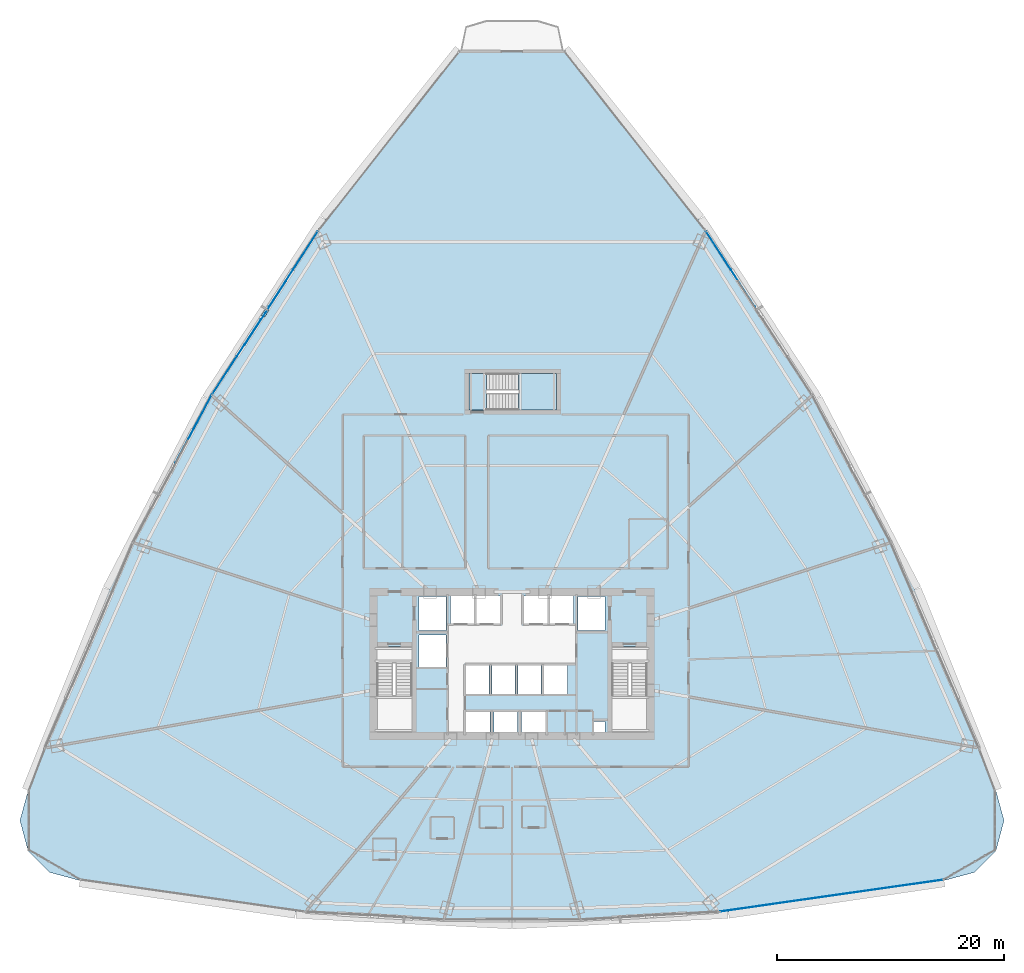
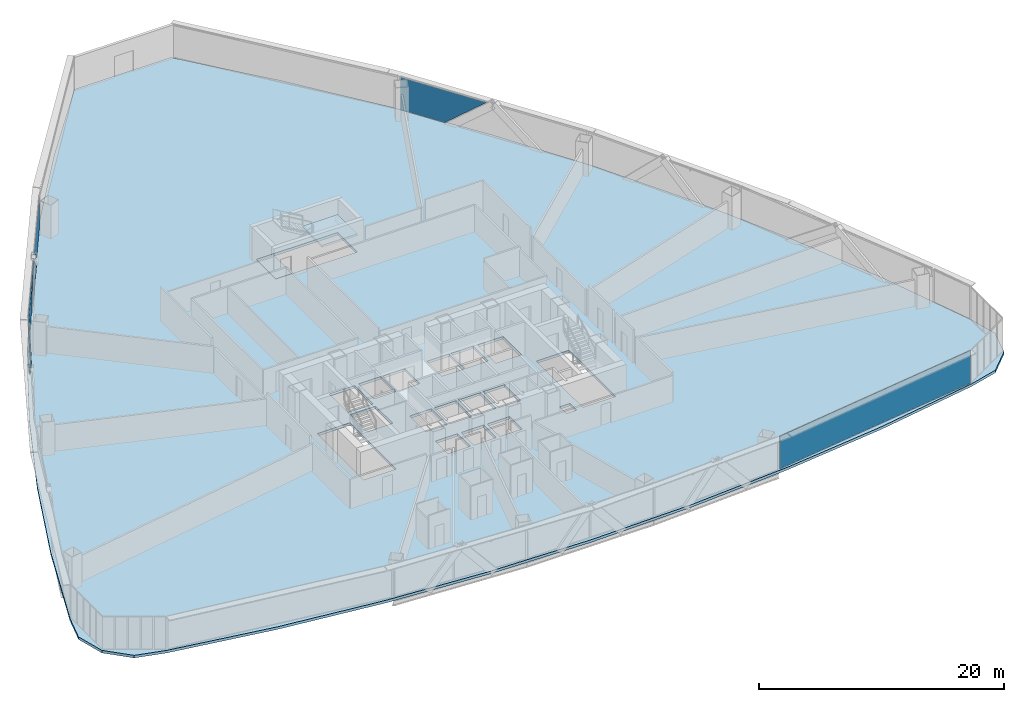
# One storey, part 29 of 40: 7 plates, 3 slabs, 5 elements without a shape of their own.
"""IFC4 building model written with IfcOpenShell, lengths in metres."""

from ifc_helpers import new_model, si_unit, direction, frame, origin, origin_2d, place, context, subcontext, project, spatial, polyline, rectangle, outline, extrude, source, transform, mapped, material, layer, layer_set, type_object, element, aggregate, save


model = new_model("IFC4")

# Units and contexts
model_context = context("Model", 3, precision=1e-05, world=origin(), true_north=direction((0.0, 1.0)))
body_context = subcontext(model_context, "Body", "Model", "MODEL_VIEW")
ifc_project = project(units=[si_unit("LENGTHUNIT", "METRE"), si_unit("AREAUNIT", "SQUARE_METRE"), si_unit("VOLUMEUNIT", "CUBIC_METRE"), si_unit("PLANEANGLEUNIT", "RADIAN"), si_unit("MASSUNIT", "GRAM", prefix="KILO"), si_unit("THERMODYNAMICTEMPERATUREUNIT", "KELVIN"), si_unit("POWERUNIT", "WATT")], contexts=[model_context])

# Site, building, storey
site_placement = place(None, origin())
site = spatial("IfcSite", under=ifc_project, at=site_placement, CompositionType="ELEMENT")
building_placement = place(site_placement, origin())
building = spatial("IfcBuilding", under=site, at=building_placement, Name="Yunzhuo Pagoda Commons", CompositionType="ELEMENT")
storey_placement = place(building_placement, frame((0.0, 0.0, 66.699951171875)))
storey = spatial("IfcBuildingStorey", under=building, at=storey_placement, Name="L17", CompositionType="ELEMENT", Elevation=66.699951171875)

# Curtain wall, plate
ifc_material_1 = material(Name="Anodized aluminium 6063-T6", Category="aluminium")
ifc_layer_1 = layer(ifc_material_1, 0.1650390625)
ifc_layer_set_1 = layer_set([ifc_layer_1], Name="Anodized aluminium 6063-T6")
curtain_wall_type = type_object("IfcCurtainWallType", Name="CW-LOW Low-Zone Ribbon Curtain Wall", PredefinedType="NOTDEFINED", material=ifc_layer_set_1)
curtain_wall_1_placement = place(storey_placement, origin())
curtain_wall_1 = element("IfcCurtainWall", 1, at=curtain_wall_1_placement, inside=storey, type_object=curtain_wall_type, Name="L17 curtain wall CW-L17-F2B4", PredefinedType="NOTDEFINED")
ifc_material_2 = material(Name="Tempered low-e double glazing", Category="glass")
ifc_layer_2 = layer(ifc_material_2, 0.028076171875)
ifc_layer_set_2 = layer_set([ifc_layer_2], Name="Tempered low-e double glazing")
plate_type_1 = type_object("IfcPlateType", Name="CW-LOW-P Low-E Double Glazing 28", PredefinedType="CURTAIN_PANEL", material=ifc_layer_set_2)
plate_1_placement = place(storey_placement, frame((67.211669921875, 68.592529296875, 1.68505859375), z_axis=(0.838840312647, 0.54437756188, 0.0), x_axis=(-0.54437756188, 0.838840312647, 0.0)))
plate_1 = element("IfcPlate", 2, at=plate_1_placement, type_object=plate_type_1, Name="CW panel 1.1 lite 3", PredefinedType="CURTAIN_PANEL", context=body_context, shape_type="SweptSolid", body=[
    extrude(outline(polyline([(-3.94970703125, 1.625), (-0.088134765625, -1.625), (3.94970703125, -1.625), (3.94970703125, 1.625), (-3.94970703125, 1.625)])), origin(), (0.0, 0.0, 1.0), 0.028076171875),
])
aggregate(curtain_wall_1, [plate_1])

# Curtain wall, plates
curtain_wall_2_placement = place(storey_placement, origin())
curtain_wall_2 = element("IfcCurtainWall", 3, at=curtain_wall_2_placement, inside=storey, type_object=curtain_wall_type, Name="L17 curtain wall CW-L17-F3B2", PredefinedType="NOTDEFINED")
plate_2_placement = place(storey_placement, frame((28.788330078125, 68.592529296875, 1.68505859375), z_axis=(-0.838840312647, 0.54437756188, 0.0), x_axis=(-0.54437756188, -0.838840312647, 0.0)))
plate_2 = element("IfcPlate", 4, at=plate_2_placement, type_object=plate_type_1, Name="CW panel 1.1 lite 1", PredefinedType="CURTAIN_PANEL", context=body_context, shape_type="SweptSolid", body=[
    extrude(outline(polyline([(-3.949462890625, -1.625), (0.088134765625, -1.625), (3.949462890625, 1.625), (-3.949462890625, 1.625), (-3.949462890625, -1.625)])), origin(), (0.0, 0.0, 1.0), 0.028076171875),
])
plate_3_placement = place(storey_placement, frame((26.303466796875, 64.708251953125, 1.466796875), z_axis=(-0.838840312647, 0.54437756188, 0.0), x_axis=(-0.54437756188, -0.838840312647, 0.0)))
plate_3 = element("IfcPlate", 5, at=plate_3_placement, type_object=plate_type_1, Name="CW panel 1.1 lite 2", PredefinedType="CURTAIN_PANEL", context=body_context, shape_type="SweptSolid", body=[
    extrude(outline(polyline([(-3.342529296875, -1.406494140625), (3.342529296875, -1.406494140625), (0.0, 1.406494140625), (-3.342529296875, -1.406494140625)])), origin(), (0.0, 0.0, 1.0), 0.028076171875),
])
plate_4_placement = place(storey_placement, frame((23.768310546875, 60.85693359375, 1.68505859375), z_axis=(-0.838840312647, 0.54437756188, 0.0), x_axis=(-0.54437756188, -0.838840312647, 0.0)))
plate_4 = element("IfcPlate", 6, at=plate_4_placement, type_object=plate_type_1, Name="CW panel 1.1 lite 3", PredefinedType="CURTAIN_PANEL", context=body_context, shape_type="SweptSolid", body=[
    extrude(outline(polyline([(-3.949462890625, 1.625), (-0.088134765625, -1.625), (3.949462890625, -1.625), (3.949462890625, 1.625), (-3.949462890625, 1.625)])), origin(), (0.0, 0.0, 1.0), 0.028076171875),
])
aggregate(curtain_wall_2, [plate_2, plate_3, plate_4])

# Curtain wall, plate
curtain_wall_3_placement = place(storey_placement, origin())
curtain_wall_3 = element("IfcCurtainWall", 7, at=curtain_wall_3_placement, inside=storey, type_object=curtain_wall_type, Name="L17 curtain wall CW-L17-F3B3", PredefinedType="NOTDEFINED")
plate_5_placement = place(storey_placement, frame((19.983154296875, 54.4853515625, 1.68505859375), z_axis=(-0.882636758547, 0.470055690808, 0.0), x_axis=(-0.470055690808, -0.882636758547, 0.0)))
plate_5 = element("IfcPlate", 8, at=plate_5_placement, type_object=plate_type_1, Name="CW panel 1.1 lite 1", PredefinedType="CURTAIN_PANEL", context=body_context, shape_type="SweptSolid", body=[
    extrude(outline(polyline([(-3.33935546875, -1.625), (0.051513671875, -1.625), (3.33935546875, 1.625), (-3.33935546875, 1.625), (-3.33935546875, -1.625)])), origin(), (0.0, 0.0, 1.0), 0.028076171875),
])
aggregate(curtain_wall_3, [plate_5])

# Stair, slabs
ifc_material_3 = material(Name="Concrete C40", Category="concrete")
stair_type = type_object("IfcStairType", Name="ST-C3 North Tower Smokeproof Stair ST3", PredefinedType="HALF_TURN_STAIR", material=ifc_material_3)
stair_placement = place(storey_placement, origin())
stair = element("IfcStair", 9, at=stair_placement, inside=storey, type_object=stair_type, Name="L17 North tower smokeproof stair ST3", PredefinedType="HALF_TURN_STAIR")
ifc_layer_3 = layer(ifc_material_3, 0.2041015625)
ifc_layer_set_3 = layer_set([ifc_layer_3], Name="Concrete C40")
slab_type_1 = type_object("IfcSlabType", Name="SL-LND5 North Landing Slab 204", PredefinedType="LANDING", material=ifc_layer_set_3)
slab_1_placement = place(storey_placement, frame((0.0, 0.0, 1.614990234375)))
slab_1 = element("IfcSlab", 10, at=slab_1_placement, type_object=slab_type_1, Name="ST3 landing 1", PredefinedType="LANDING", context=body_context, shape_type="SweptSolid", body=[
    extrude(outline(polyline([(48.550048828125, 56.199951171875), (51.89990234375, 56.199951171875), (51.89990234375, 59.39990234375), (48.550048828125, 59.39990234375), (48.550048828125, 56.199951171875)])), origin(), (0.0, 0.0, 1.0), 0.199951171875),
])
slab_2_placement = place(storey_placement, frame((0.0, 0.0, -0.199951171875)))
slab_2 = element("IfcSlab", 11, at=slab_2_placement, type_object=slab_type_1, Name="ST3 floor landing L17", PredefinedType="LANDING", context=body_context, shape_type="SweptSolid", body=[
    extrude(outline(polyline([(44.199951171875, 56.199951171875), (45.75, 56.199951171875), (45.75, 59.39990234375), (44.199951171875, 59.39990234375), (44.199951171875, 56.199951171875)])), origin(), (0.0, 0.0, 1.0), 0.199951171875),
])
aggregate(stair, [slab_1, slab_2])

# Slab
ifc_layer_4 = layer(ifc_material_3, 0.260009765625)
ifc_layer_set_4 = layer_set([ifc_layer_4], Name="Concrete C40")
slab_type_2 = type_object("IfcSlabType", Name="SL-TWR Typical Tower Floor Slab 260", PredefinedType="FLOOR", material=ifc_layer_set_4)
slab_3_placement = place(storey_placement, frame((0.0, 0.0, -0.260009765625)))
element("IfcSlab", 12, at=slab_3_placement, inside=storey, type_object=slab_type_2, Name="L17 structural floor slab", PredefinedType="FLOOR", context=body_context, shape_type="SweptSolid", body=[
    extrude(outline(polyline([(8.778564453125, 31.66943359375), (12.53369140625, 40.397216796875), (16.688720703125, 48.8916015625), (21.2431640625, 57.15283203125), (26.197265625, 65.180908203125), (31.55078125, 72.9755859375), (37.30419921875, 80.537109375), (43.45703125, 87.865234375), (52.54296875, 87.865234375), (58.69580078125, 80.537109375), (64.44921875, 72.9755859375), (69.802734375, 65.180908203125), (74.7568359375, 57.15283203125), (79.311279296875, 48.8916015625), (83.46630859375, 40.397216796875), (87.221435546875, 31.66943359375), (90.5771484375, 22.70849609375), (91.29443359375, 20.075439453125), (90.595947265625, 17.4375), (88.669921875, 15.50439453125), (86.0341796875, 14.79638671875), (76.525634765625, 13.177001953125), (67.01708984375, 12.020263671875), (57.508544921875, 11.326171875), (48.0, 11.0947265625), (38.491455078125, 11.326171875), (28.98291015625, 12.020263671875), (19.474365234375, 13.177001953125), (9.9658203125, 14.79638671875), (7.330078125, 15.50439453125), (5.404052734375, 17.4375), (4.70556640625, 20.075439453125), (5.4228515625, 22.70849609375), (8.778564453125, 31.66943359375)]), holes=[polyline([(46.050048828125, 27.60009765625), (46.050048828125, 29.64990234375), (43.949951171875, 29.64990234375), (43.949951171875, 27.60009765625), (46.050048828125, 27.60009765625)]), polyline([(48.5, 27.60009765625), (48.5, 29.64990234375), (46.39990234375, 29.64990234375), (46.39990234375, 27.60009765625), (48.5, 27.60009765625)]), polyline([(36.10009765625, 27.800048828125), (39.199951171875, 27.800048828125), (39.199951171875, 35.39990234375), (36.10009765625, 35.39990234375), (36.10009765625, 27.800048828125)]), polyline([(45.969970703125, 31.199951171875), (45.969970703125, 33.800048828125), (43.929931640625, 33.800048828125), (43.929931640625, 31.199951171875), (45.969970703125, 31.199951171875)]), polyline([(48.27001953125, 31.199951171875), (48.27001953125, 33.800048828125), (46.22998046875, 33.800048828125), (46.22998046875, 31.199951171875), (48.27001953125, 31.199951171875)]), polyline([(42.199951171875, 33.60009765625), (42.199951171875, 36.39990234375), (39.800048828125, 36.39990234375), (39.800048828125, 33.60009765625), (42.199951171875, 33.60009765625)]), polyline([(42.199951171875, 36.800048828125), (42.199951171875, 39.800048828125), (39.800048828125, 39.800048828125), (39.800048828125, 36.800048828125), (42.199951171875, 36.800048828125)]), polyline([(42.60009765625, 37.39990234375), (44.699951171875, 37.39990234375), (44.699951171875, 39.85009765625), (42.60009765625, 39.85009765625), (42.60009765625, 37.39990234375)]), polyline([(44.85009765625, 37.39990234375), (46.949951171875, 37.39990234375), (46.949951171875, 39.85009765625), (44.85009765625, 39.85009765625), (44.85009765625, 37.39990234375)]), polyline([(56.179931640625, 27.699951171875), (56.179931640625, 28.800048828125), (55.179931640625, 28.800048828125), (55.179931640625, 27.699951171875), (56.179931640625, 27.699951171875)]), polyline([(50.949951171875, 27.60009765625), (50.949951171875, 29.64990234375), (48.85009765625, 29.64990234375), (48.85009765625, 27.60009765625), (50.949951171875, 27.60009765625)]), polyline([(56.800048828125, 27.800048828125), (59.89990234375, 27.800048828125), (59.89990234375, 35.39990234375), (56.800048828125, 35.39990234375), (56.800048828125, 27.800048828125)]), polyline([(50.570068359375, 31.199951171875), (50.570068359375, 33.800048828125), (48.530029296875, 33.800048828125), (48.530029296875, 31.199951171875), (50.570068359375, 31.199951171875)]), polyline([(52.8701171875, 31.199951171875), (52.8701171875, 33.800048828125), (50.830078125, 33.800048828125), (50.830078125, 31.199951171875), (52.8701171875, 31.199951171875)]), polyline([(56.199951171875, 36.800048828125), (56.199951171875, 39.800048828125), (53.800048828125, 39.800048828125), (53.800048828125, 36.800048828125), (56.199951171875, 36.800048828125)]), polyline([(51.14990234375, 37.39990234375), (51.14990234375, 39.85009765625), (49.050048828125, 39.85009765625), (49.050048828125, 37.39990234375), (51.14990234375, 37.39990234375)]), polyline([(51.300048828125, 37.39990234375), (53.39990234375, 37.39990234375), (53.39990234375, 39.85009765625), (51.300048828125, 39.85009765625), (51.300048828125, 37.39990234375)]), polyline([(44.199951171875, 56.199951171875), (51.89990234375, 56.199951171875), (51.89990234375, 59.39990234375), (44.199951171875, 59.39990234375), (44.199951171875, 56.199951171875)])]), origin(), (0.0, 0.0, 1.0), 0.260009765625),
])

# Plate
ifc_material_4 = material(Name="Structural steel Q355B", Category="steel")
ifc_layer_5 = layer(ifc_material_4, 0.028076171875)
ifc_layer_set_5 = layer_set([ifc_layer_5], Name="Structural steel Q355B")
plate_type_2 = type_object("IfcPlateType", Name="SP-ND1 Lattice Node Cap Plate 800x500x28", PredefinedType="USERDEFINED", material=ifc_layer_set_5)
shared_shape_1 = source(origin(), body_context, "Body", "SweptSolid", [
    extrude(rectangle(XDim=0.699951171875, YDim=0.35009765625, at=origin_2d()), origin(), (0.0, 0.0, 1.0), 0.035888671875),
])
plate_6_placement = place(storey_placement, frame((26.2666015625, 64.732177734375, 3.33203125), z_axis=(0.0, 0.0, 1.0), x_axis=(-0.544375532013, -0.838841629955, 0.0)))
element("IfcPlate", 13, at=plate_6_placement, inside=storey, type_object=plate_type_2, Name="L17 setback lattice tie plate F3.1L", ObjectType="STIFFENER_PLATE", PredefinedType="USERDEFINED", context=body_context, shape_type="MappedRepresentation", body=[
    mapped(shared_shape_1, transform((0.0, 0.0, 0.0), scale=1.0)),
])

# Curtain wall, plate
curtain_wall_4_placement = place(storey_placement, origin())
curtain_wall_4 = element("IfcCurtainWall", 14, at=curtain_wall_4_placement, inside=storey, type_object=curtain_wall_type, Name="L17 curtain wall CW-L17-F1B5", PredefinedType="NOTDEFINED")
shared_shape_2 = source(origin(), body_context, "Body", "SweptSolid", [
    extrude(rectangle(XDim=19.814697265625, YDim=0.028076171875, at=origin_2d()), origin(), (0.0, 0.0, 1.0), 3.25),
])
plate_7_placement = place(storey_placement, frame((76.12158203125, 13.4580078125, 0.06005859375), z_axis=(0.0, 0.0, 1.0), x_axis=(0.989989664719, 0.141139872999, 0.0)))
plate_7 = element("IfcPlate", 15, at=plate_7_placement, type_object=plate_type_1, Name="CW panel 1.1", PredefinedType="CURTAIN_PANEL", context=body_context, shape_type="MappedRepresentation", body=[
    mapped(shared_shape_2, transform((0.0, 0.0, 0.0), scale=1.0)),
])
aggregate(curtain_wall_4, [plate_7])

save(model, "model.ifc")
